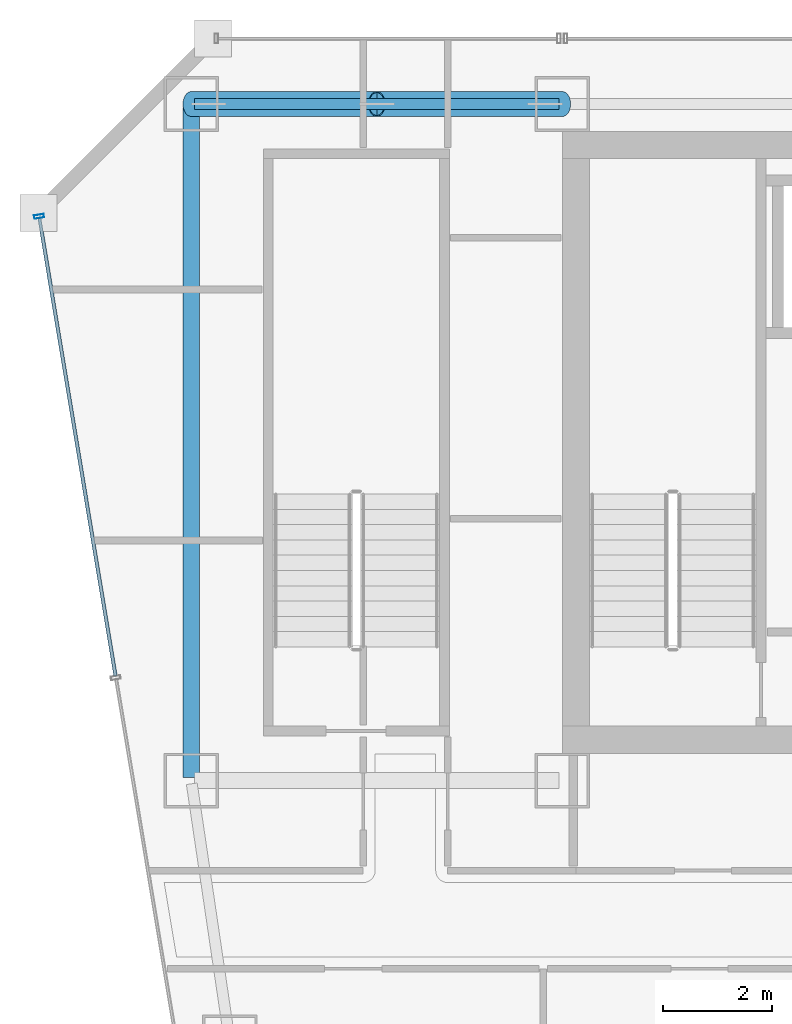
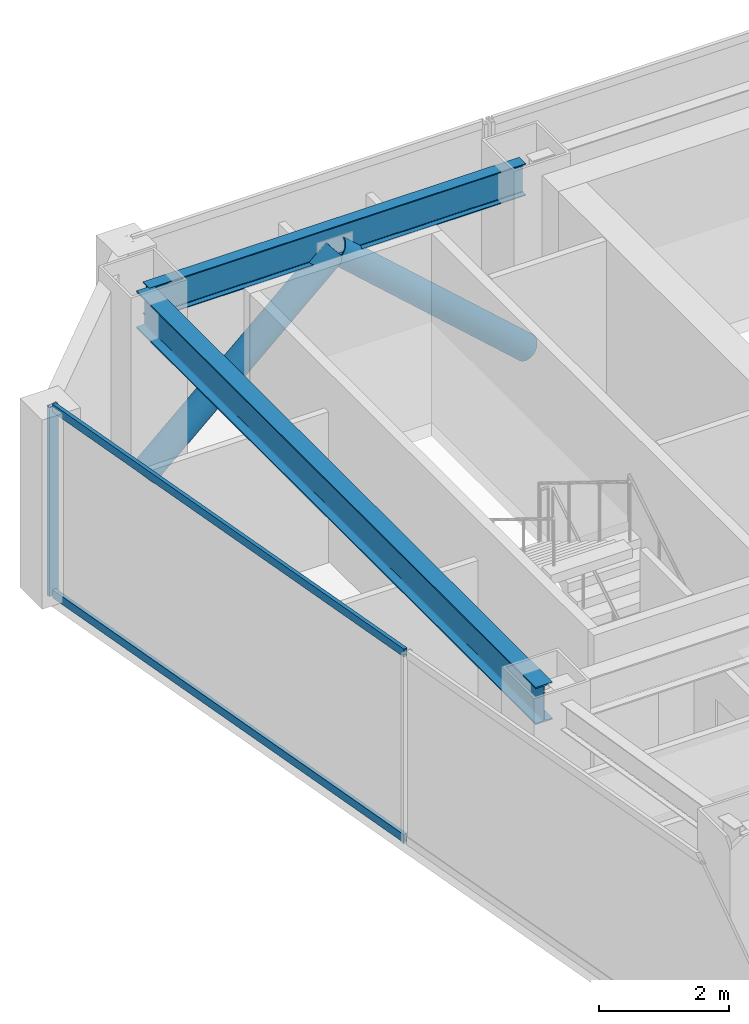
# One storey, part 24 of 40: 5 members, 2 beams, 1 element without a shape of its own.
"""IFC4 building model written with IfcOpenShell, lengths in metres."""

from ifc_helpers import new_model, si_unit, direction, frame, origin, origin_2d, place, context, subcontext, project, spatial, hollow_rectangle, hollow_circle, i_section, extrude, material, material_profile, profile_set, type_object, element, aggregate, save


model = new_model("IFC4")

# Units and contexts
model_context = context("Model", 3, precision=1e-05, world=origin(), true_north=direction((0.0, 1.0)))
body_context = subcontext(model_context, "Body", "Model", "MODEL_VIEW")
ifc_project = project(units=[si_unit("LENGTHUNIT", "METRE"), si_unit("AREAUNIT", "SQUARE_METRE"), si_unit("VOLUMEUNIT", "CUBIC_METRE"), si_unit("PLANEANGLEUNIT", "RADIAN"), si_unit("MASSUNIT", "GRAM", prefix="KILO")], contexts=[model_context])

# Site, building, storey
site_placement = place(None, origin())
site = spatial("IfcSite", under=ifc_project, at=site_placement, CompositionType="ELEMENT")
building_placement = place(site_placement, origin())
building = spatial("IfcBuilding", under=site, at=building_placement, Name="Saevonmaru Cultural Tower", CompositionType="ELEMENT")
storey_placement = place(building_placement, frame((0.0, 0.0, 129.60009765625)))
storey = spatial("IfcBuildingStorey", under=building, at=storey_placement, Name="L27", CompositionType="ELEMENT", Elevation=129.60009765625)

# Beams
ifc_material_1 = material(Name="Steel SM355", Category="steel")
ifc_material_profile_1 = material_profile(ifc_material_1, i_section(OverallWidth=0.300048828125, OverallDepth=0.699951171875, WebThickness=0.012939453125, FlangeThickness=0.02392578125, FilletRadius=0.02587890625, at=origin_2d()), Name="H-700x300x13x24")
ifc_profile_set_1 = profile_set([ifc_material_profile_1], Name="Steel SM355")
beam_type_1 = type_object("IfcBeamType", Name="BM-G-H700", PredefinedType="BEAM", material=ifc_profile_set_1)
beam_1_placement = place(storey_placement, frame((6.800048828125, 54.739990234375, 3.199951171875), z_axis=(0.0, -1.0, 0.0), x_axis=(1.0, 0.0, 0.0)))
element("IfcBeam", 1, at=beam_1_placement, inside=storey, type_object=beam_type_1, Name="L27 Spine Transverse Girder W", PredefinedType="BEAM", context=body_context, shape_type="SweptSolid", body=[
    extrude(i_section(OverallWidth=0.300048828125, OverallDepth=0.699951171875, WebThickness=0.012939453125, FlangeThickness=0.02392578125, FilletRadius=0.02587890625, at=origin_2d()), origin(), (0.0, 0.0, 1.0), 12.280029296875),
])
ifc_material_profile_2 = material_profile(ifc_material_1, i_section(OverallWidth=0.199951171875, OverallDepth=0.60009765625, WebThickness=0.010986328125, FlangeThickness=0.01708984375, FilletRadius=0.02197265625, at=origin_2d()), Name="H-600x200x11x17")
ifc_profile_set_2 = profile_set([ifc_material_profile_2], Name="Steel SM355")
beam_type_2 = type_object("IfcBeamType", Name="BM-SP-H600", PredefinedType="SPANDREL", material=ifc_profile_set_2)
beam_2_placement = place(storey_placement, frame((6.860107421875, 54.800048828125, 3.25), z_axis=(1.0, 0.0, 0.0), x_axis=(0.0, 1.0, 0.0)))
element("IfcBeam", 2, at=beam_2_placement, inside=storey, type_object=beam_type_2, Name="L27 North Spine Girder 1", PredefinedType="SPANDREL", context=body_context, shape_type="SweptSolid", body=[
    extrude(i_section(OverallWidth=0.199951171875, OverallDepth=0.60009765625, WebThickness=0.010986328125, FlangeThickness=0.01708984375, FilletRadius=0.02197265625, at=origin_2d()), origin(), (0.0, 0.0, 1.0), 6.679931640625),
])

# Members
ifc_material_2 = material(Name="Steel SM420", Category="steel")
ifc_material_profile_3 = material_profile(ifc_material_2, hollow_circle(Radius=0.228515625, WallThickness=0.02001953125, at=origin_2d()), Name="CHS-457.2x20")
ifc_profile_set_3 = profile_set([ifc_material_profile_3], Name="Steel SM420")
member_type_1 = type_object("IfcMemberType", Name="MB-PBR-CHS457", PredefinedType="BRACE", material=ifc_profile_set_3)
member_1_placement = place(storey_placement, frame((6.800048828125, 54.800048828125, 0.02001953125), z_axis=(0.744393515062, 0.0, 0.667741188436), x_axis=(0.0, 1.0, 0.0)))
element("IfcMember", 3, at=member_1_placement, inside=storey, type_object=member_type_1, Name="L27 Perimeter Braced-Tube Diagonal WN1", PredefinedType="BRACE", context=body_context, shape_type="SweptSolid", body=[
    extrude(hollow_circle(Radius=0.228515625, WallThickness=0.02001953125, at=origin_2d()), origin(), (0.0, 0.0, 1.0), 4.5673828125),
])
member_2_placement = place(storey_placement, frame((13.60009765625, 54.800048828125, 0.02001953125), z_axis=(-0.744417347397, 0.0, 0.66771461935), x_axis=(0.0, -1.0, 0.0)))
element("IfcMember", 4, at=member_2_placement, inside=storey, type_object=member_type_1, Name="L27 Perimeter Braced-Tube Diagonal WN2", PredefinedType="BRACE", context=body_context, shape_type="SweptSolid", body=[
    extrude(hollow_circle(Radius=0.228515625, WallThickness=0.02001953125, at=origin_2d()), origin(), (0.0, 0.0, 1.0), 4.567626953125),
])

# Curtain wall, members
ifc_material_3 = material(Name="Satin Bronze Anodised Aluminium", Category="aluminium")
curtain_wall_type = type_object("IfcCurtainWallType", Name="CW-SKY-GLZ", PredefinedType="NOTDEFINED", material=ifc_material_3)
curtain_wall_placement = place(storey_placement, origin())
curtain_wall = element("IfcCurtainWall", 5, at=curtain_wall_placement, inside=storey, type_object=curtain_wall_type, Name="L27 Unitised Curtain Wall E12", PredefinedType="NOTDEFINED")
ifc_material_profile_4 = material_profile(ifc_material_3, hollow_rectangle(XDim=0.06494140625, YDim=0.179931640625, WallThickness=0.00390625, at=origin_2d()), Name="ALU-MULL-180x65x4")
ifc_profile_set_4 = profile_set([ifc_material_profile_4], Name="Satin Bronze Anodised Aluminium")
member_type_2 = type_object("IfcMemberType", Name="ML-CW-180x65", PredefinedType="MULLION", material=ifc_profile_set_4)
member_3_placement = place(storey_placement, frame((4.009765625, 52.74072265625, 0.0), z_axis=(0.0, 0.0, 1.0), x_axis=(0.163998702345, -0.986460554523, 0.0)))
member_3 = element("IfcMember", 6, at=member_3_placement, type_object=member_type_2, Name="CW-TW-L27-E12 mullion 1", PredefinedType="MULLION", context=body_context, shape_type="SweptSolid", body=[
    extrude(hollow_rectangle(XDim=0.06494140625, YDim=0.179931640625, WallThickness=0.00390625, at=origin_2d()), origin(), (0.0, 0.0, 1.0), 3.5498046875),
])
ifc_material_profile_5 = material_profile(ifc_material_3, hollow_rectangle(XDim=0.06494140625, YDim=0.14990234375, WallThickness=0.00390625, at=origin_2d()), Name="ALU-TRAN-150x65x4")
ifc_profile_set_5 = profile_set([ifc_material_profile_5], Name="Satin Bronze Anodised Aluminium")
member_type_3 = type_object("IfcMemberType", Name="TR-CW-150x65", PredefinedType="USERDEFINED", material=ifc_profile_set_5)
member_4_placement = place(storey_placement, frame((4.01513671875, 52.708740234375, 0.032470703125), z_axis=(0.164008063497, -0.986458998189, 0.0), x_axis=(0.986458998189, 0.164008063497, 0.0)))
member_4 = element("IfcMember", 7, at=member_4_placement, type_object=member_type_3, Name="CW-TW-L27-E12 transom 1.1", ObjectType="TRANSOM", PredefinedType="USERDEFINED", context=body_context, shape_type="SweptSolid", body=[
    extrude(hollow_rectangle(XDim=0.06494140625, YDim=0.14990234375, WallThickness=0.00390625, at=origin_2d()), origin(), (0.0, 0.0, 1.0), 8.50732421875),
])
member_5_placement = place(storey_placement, frame((4.01513671875, 52.708740234375, 3.517333984375), z_axis=(0.164008063497, -0.986458998189, 0.0), x_axis=(0.986458998189, 0.164008063497, 0.0)))
member_5 = element("IfcMember", 8, at=member_5_placement, type_object=member_type_3, Name="CW-TW-L27-E12 transom 1.2", ObjectType="TRANSOM", PredefinedType="USERDEFINED", context=body_context, shape_type="SweptSolid", body=[
    extrude(hollow_rectangle(XDim=0.06494140625, YDim=0.14990234375, WallThickness=0.00390625, at=origin_2d()), origin(), (0.0, 0.0, 1.0), 8.50732421875),
])
aggregate(curtain_wall, [member_3, member_4, member_5])

save(model, "model.ifc")
